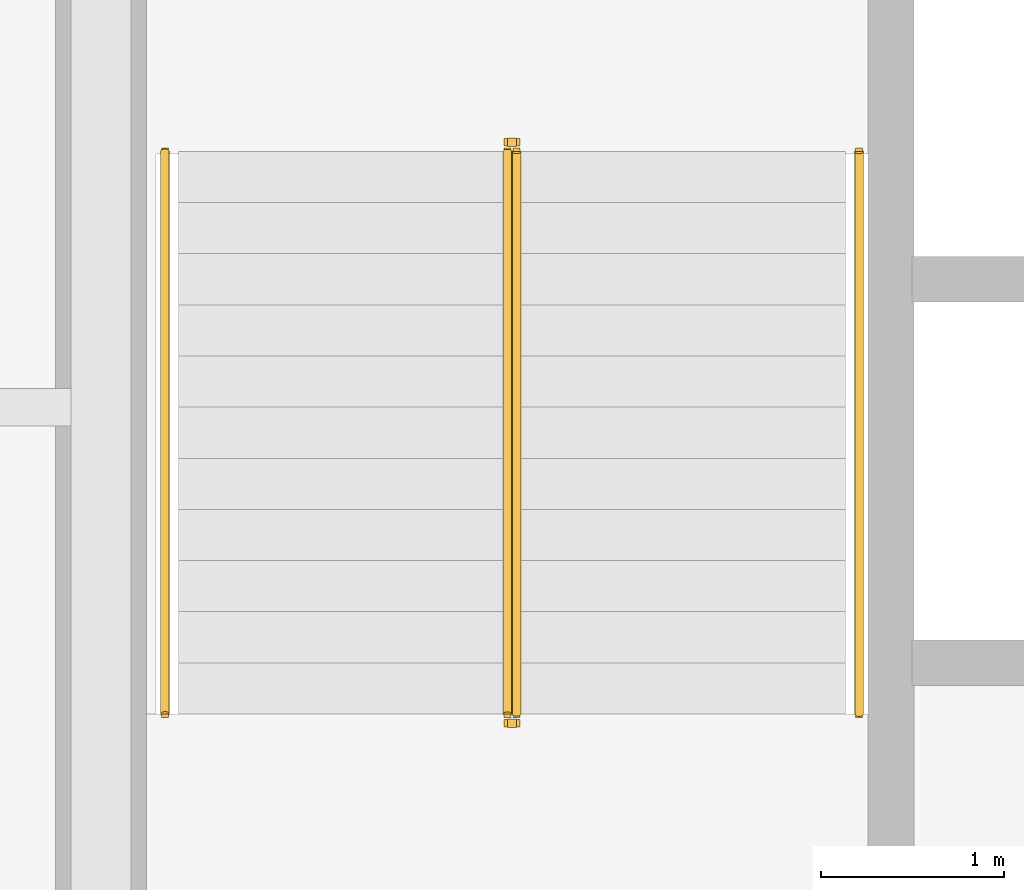
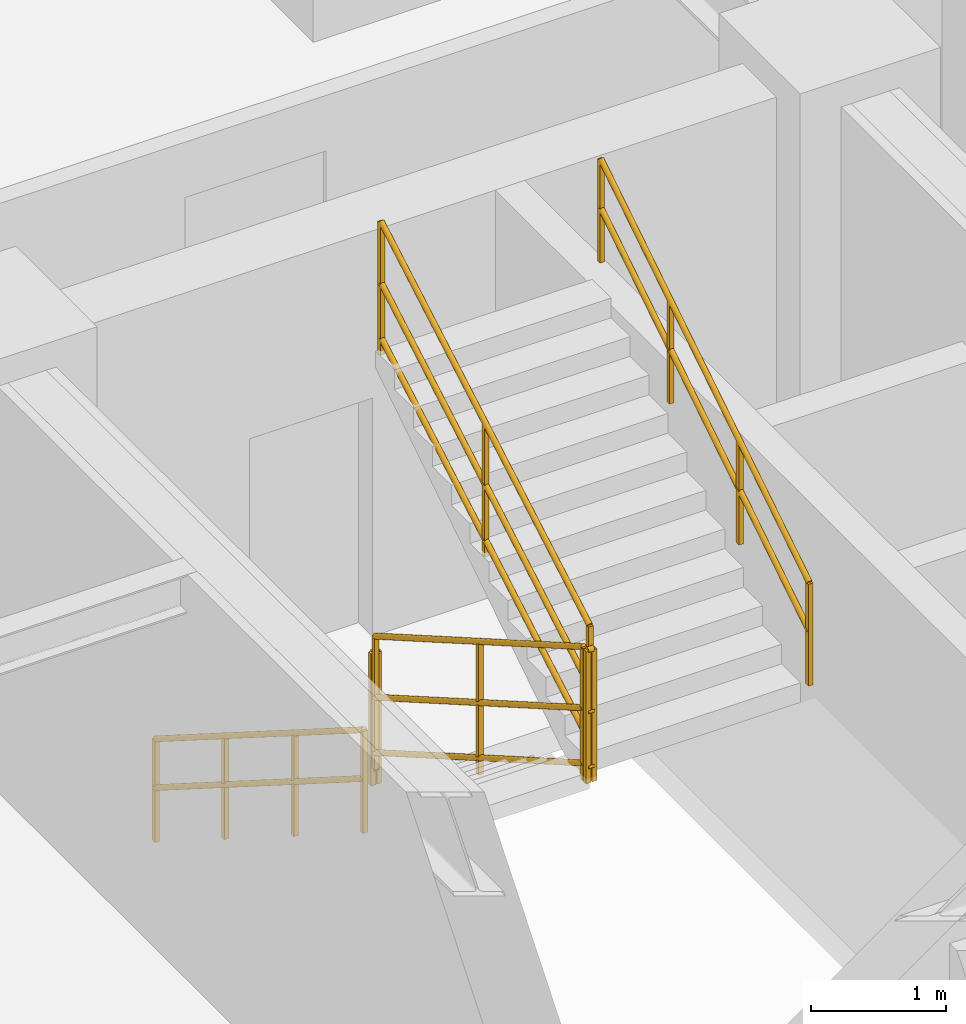
# One storey, part 9 of 9: 6 railings.
"""IFC4 building model written with IfcOpenShell, lengths in metres."""

from ifc_helpers import new_model, entity, si_unit, converted_unit, direction, frame, origin_with_axes, origin_2d_with_axis, place, context, subcontext, project, spatial, rectangle, circle, extrude, material, type_object, element, save


model = new_model("IFC4")

# Units and contexts
model_context = context("Model", 3, precision=1e-05, world=origin_with_axes(), true_north=direction((0.0, 1.0)))
body_context = subcontext(model_context, "Body", "Model", "MODEL_VIEW")
ifc_project = project(units=[si_unit("LENGTHUNIT", "METRE"), si_unit("AREAUNIT", "SQUARE_METRE"), si_unit("VOLUMEUNIT", "CUBIC_METRE"), converted_unit("PLANEANGLEUNIT", "DEGREE", entity("IfcPlaneAngleMeasure", 0.017453292519943295), si_unit("PLANEANGLEUNIT", "RADIAN"), dimensions=[0, 0, 0, 0, 0, 0, 0]), si_unit("MASSUNIT", "GRAM", prefix="KILO"), si_unit("THERMODYNAMICTEMPERATUREUNIT", "KELVIN")], contexts=[model_context])

# Site, building, storey
site_placement = place(None, origin_with_axes())
site = spatial("IfcSite", under=ifc_project, at=site_placement, CompositionType="ELEMENT")
building_placement = place(site_placement, origin_with_axes())
building = spatial("IfcBuilding", under=site, at=building_placement, Name="Varnlund Millrace Tower", CompositionType="ELEMENT")
storey_placement = place(building_placement, frame((0.0, 0.0, 93.0), z_axis=(0.0, 0.0, 1.0), x_axis=(1.0, 0.0, 0.0)))
storey = spatial("IfcBuildingStorey", under=building, at=storey_placement, Name="L22", CompositionType="ELEMENT", Elevation=93.0)

# Railings
ifc_material_1 = material(Name="Painted steel stair well balustrade guard", Category="steel")
railing_type_1 = type_object("IfcRailingType", Name="Type-StairGuard-1150", PredefinedType="GUARDRAIL", material=ifc_material_1)
railing_1_placement = place(storey_placement, frame((0.0, 0.0, -93.0), z_axis=(0.0, 0.0, 1.0), x_axis=(1.0, 0.0, 0.0)))
element("IfcRailing", 1, at=railing_1_placement, inside=storey, type_object=railing_type_1, Name="Type-StairGuard-1150", PredefinedType="GUARDRAIL", context=body_context, shape_type="SweptSolid", body=[
    extrude(circle(Radius=0.024, at=origin_2d_with_axis()), frame((13.625, 35.9, 94.327273), z_axis=(0.0, -0.866696, 0.498836), x_axis=(1.0, 0.0, 0.0)), (0.0, 0.0, 1.0), 3.553725),
    extrude(circle(Radius=0.024, at=origin_2d_with_axis()), frame((13.625, 35.9, 93.277273), z_axis=(0.0, -0.866696, 0.498836), x_axis=(1.0, 0.0, 0.0)), (0.0, 0.0, 1.0), 3.553725),
    extrude(circle(Radius=0.024, at=origin_2d_with_axis()), frame((13.625, 35.9, 93.775273), z_axis=(0.0, -0.866696, 0.498836), x_axis=(1.0, 0.0, 0.0)), (0.0, 0.0, 1.0), 3.553725),
    extrude(rectangle(XDim=0.04, YDim=0.04, at=origin_2d_with_axis()), frame((13.625, 35.9, 93.137273), z_axis=(0.0, 0.0, 1.0), x_axis=(1.0, 0.0, 0.0)), (0.0, 0.0, 1.0), 1.19),
    extrude(rectangle(XDim=0.04, YDim=0.04, at=origin_2d_with_axis()), frame((13.625, 34.36, 94.023636), z_axis=(0.0, 0.0, 1.0), x_axis=(1.0, 0.0, 0.0)), (0.0, 0.0, 1.0), 1.19),
    extrude(rectangle(XDim=0.04, YDim=0.04, at=origin_2d_with_axis()), frame((13.625, 32.82, 94.91), z_axis=(0.0, 0.0, 1.0), x_axis=(1.0, 0.0, 0.0)), (0.0, 0.0, 1.0), 1.19),
])
railing_2_placement = place(storey_placement, frame((0.0, 0.0, -93.0), z_axis=(0.0, 0.0, 1.0), x_axis=(1.0, 0.0, 0.0)))
element("IfcRailing", 2, at=railing_2_placement, inside=storey, type_object=railing_type_1, Name="Type-StairGuard-1150", PredefinedType="GUARDRAIL", context=body_context, shape_type="SweptSolid", body=[
    extrude(circle(Radius=0.024, at=origin_2d_with_axis()), frame((13.675, 32.77, 96.1), z_axis=(-1.0, 0.0, 0.0), x_axis=(0.0, -1.0, 0.0)), (0.0, 0.0, 1.0), 0.05),
    extrude(circle(Radius=0.024, at=origin_2d_with_axis()), frame((13.675, 32.77, 95.05), z_axis=(-1.0, 0.0, 0.0), x_axis=(0.0, -1.0, 0.0)), (0.0, 0.0, 1.0), 0.05),
    extrude(circle(Radius=0.024, at=origin_2d_with_axis()), frame((13.675, 32.77, 95.548), z_axis=(-1.0, 0.0, 0.0), x_axis=(0.0, -1.0, 0.0)), (0.0, 0.0, 1.0), 0.05),
    extrude(rectangle(XDim=0.04, YDim=0.04, at=origin_2d_with_axis()), frame((13.675, 32.77, 94.91), z_axis=(0.0, 0.0, 1.0), x_axis=(1.0, 0.0, 0.0)), (0.0, 0.0, 1.0), 1.19),
    extrude(rectangle(XDim=0.04, YDim=0.04, at=origin_2d_with_axis()), frame((13.625, 32.77, 94.91), z_axis=(0.0, 0.0, 1.0), x_axis=(1.0, 0.0, 0.0)), (0.0, 0.0, 1.0), 1.19),
])
railing_3_placement = place(storey_placement, frame((0.0, 0.0, -93.0), z_axis=(0.0, 0.0, 1.0), x_axis=(1.0, 0.0, 0.0)))
element("IfcRailing", 3, at=railing_3_placement, inside=storey, type_object=railing_type_1, Name="Type-StairGuard-1150", PredefinedType="GUARDRAIL", context=body_context, shape_type="SweptSolid", body=[
    extrude(circle(Radius=0.024, at=origin_2d_with_axis()), frame((13.675, 32.82, 96.277273), z_axis=(0.0, 0.866696, 0.498836), x_axis=(-1.0, 0.0, 0.0)), (0.0, 0.0, 1.0), 3.553725),
    extrude(circle(Radius=0.024, at=origin_2d_with_axis()), frame((13.675, 32.82, 95.227273), z_axis=(0.0, 0.866696, 0.498836), x_axis=(-1.0, 0.0, 0.0)), (0.0, 0.0, 1.0), 3.553725),
    extrude(circle(Radius=0.024, at=origin_2d_with_axis()), frame((13.675, 32.82, 95.725273), z_axis=(0.0, 0.866696, 0.498836), x_axis=(-1.0, 0.0, 0.0)), (0.0, 0.0, 1.0), 3.553725),
    extrude(rectangle(XDim=0.04, YDim=0.04, at=origin_2d_with_axis()), frame((13.675, 32.82, 95.087273), z_axis=(0.0, 0.0, 1.0), x_axis=(1.0, 0.0, 0.0)), (0.0, 0.0, 1.0), 1.19),
    extrude(rectangle(XDim=0.04, YDim=0.04, at=origin_2d_with_axis()), frame((13.675, 34.36, 95.973636), z_axis=(0.0, 0.0, 1.0), x_axis=(1.0, 0.0, 0.0)), (0.0, 0.0, 1.0), 1.19),
    extrude(rectangle(XDim=0.04, YDim=0.04, at=origin_2d_with_axis()), frame((13.675, 35.9, 96.86), z_axis=(0.0, 0.0, 1.0), x_axis=(1.0, 0.0, 0.0)), (0.0, 0.0, 1.0), 1.19),
])
railing_4_placement = place(storey_placement, frame((0.0, 0.0, -93.0), z_axis=(0.0, 0.0, 1.0), x_axis=(1.0, 0.0, 0.0)))
element("IfcRailing", 4, at=railing_4_placement, inside=storey, type_object=railing_type_1, Name="Type-StairGuard-1150", PredefinedType="GUARDRAIL", context=body_context, shape_type="SweptSolid", body=[
    extrude(circle(Radius=0.024, at=origin_2d_with_axis()), frame((13.675, 35.95, 94.15), z_axis=(-1.0, 0.0, 0.0), x_axis=(0.0, -1.0, 0.0)), (0.0, 0.0, 1.0), 0.05),
    extrude(circle(Radius=0.024, at=origin_2d_with_axis()), frame((13.675, 35.95, 93.1), z_axis=(-1.0, 0.0, 0.0), x_axis=(0.0, -1.0, 0.0)), (0.0, 0.0, 1.0), 0.05),
    extrude(circle(Radius=0.024, at=origin_2d_with_axis()), frame((13.675, 35.95, 93.598), z_axis=(-1.0, 0.0, 0.0), x_axis=(0.0, -1.0, 0.0)), (0.0, 0.0, 1.0), 0.05),
    extrude(rectangle(XDim=0.04, YDim=0.04, at=origin_2d_with_axis()), frame((13.675, 35.95, 92.96), z_axis=(0.0, 0.0, 1.0), x_axis=(1.0, 0.0, 0.0)), (0.0, 0.0, 1.0), 1.19),
    extrude(rectangle(XDim=0.04, YDim=0.04, at=origin_2d_with_axis()), frame((13.625, 35.95, 92.96), z_axis=(0.0, 0.0, 1.0), x_axis=(1.0, 0.0, 0.0)), (0.0, 0.0, 1.0), 1.19),
])
ifc_material_2 = material(Name="Brushed architectural bronze stair handrail", Category="aluminium")
railing_type_2 = type_object("IfcRailingType", Name="Type-StairHandrail-900", PredefinedType="HANDRAIL", material=ifc_material_2)
railing_5_placement = place(storey_placement, frame((0.0, 0.0, -93.0), z_axis=(0.0, 0.0, 1.0), x_axis=(1.0, 0.0, 0.0)))
element("IfcRailing", 5, at=railing_5_placement, inside=storey, type_object=railing_type_2, Name="Type-StairHandrail-900", PredefinedType="HANDRAIL", context=body_context, shape_type="SweptSolid", body=[
    extrude(circle(Radius=0.024, at=origin_2d_with_axis()), frame((11.75, 35.9, 94.056995), z_axis=(0.0, -0.844902, 0.534922), x_axis=(1.0, 0.0, 0.0)), (0.0, 0.0, 1.0), 3.645394),
    extrude(circle(Radius=0.024, at=origin_2d_with_axis()), frame((11.75, 35.9, 93.617134), z_axis=(0.0, -0.844902, 0.534922), x_axis=(1.0, 0.0, 0.0)), (0.0, 0.0, 1.0), 3.645394),
    extrude(rectangle(XDim=0.04, YDim=0.04, at=origin_2d_with_axis()), frame((11.75, 35.9, 93.137273), z_axis=(0.0, 0.0, 1.0), x_axis=(1.0, 0.0, 0.0)), (0.0, 0.0, 1.0), 0.919722),
    extrude(rectangle(XDim=0.04, YDim=0.04, at=origin_2d_with_axis()), frame((11.75, 34.873333, 93.787273), z_axis=(0.0, 0.0, 1.0), x_axis=(1.0, 0.0, 0.0)), (0.0, 0.0, 1.0), 0.919722),
    extrude(rectangle(XDim=0.04, YDim=0.04, at=origin_2d_with_axis()), frame((11.75, 33.846667, 94.437273), z_axis=(0.0, 0.0, 1.0), x_axis=(1.0, 0.0, 0.0)), (0.0, 0.0, 1.0), 0.919722),
    extrude(rectangle(XDim=0.04, YDim=0.04, at=origin_2d_with_axis()), frame((11.75, 32.82, 95.087273), z_axis=(0.0, 0.0, 1.0), x_axis=(1.0, 0.0, 0.0)), (0.0, 0.0, 1.0), 0.919722),
])
railing_6_placement = place(storey_placement, frame((0.0, 0.0, -93.0), z_axis=(0.0, 0.0, 1.0), x_axis=(1.0, 0.0, 0.0)))
element("IfcRailing", 6, at=railing_6_placement, inside=storey, type_object=railing_type_2, Name="Type-StairHandrail-900", PredefinedType="HANDRAIL", context=body_context, shape_type="SweptSolid", body=[
    extrude(circle(Radius=0.024, at=origin_2d_with_axis()), frame((15.55, 32.82, 96.006995), z_axis=(0.0, 0.844902, 0.534922), x_axis=(-1.0, 0.0, 0.0)), (0.0, 0.0, 1.0), 3.645394),
    extrude(circle(Radius=0.024, at=origin_2d_with_axis()), frame((15.55, 32.82, 95.567134), z_axis=(0.0, 0.844902, 0.534922), x_axis=(-1.0, 0.0, 0.0)), (0.0, 0.0, 1.0), 3.645394),
    extrude(rectangle(XDim=0.04, YDim=0.04, at=origin_2d_with_axis()), frame((15.55, 32.82, 95.087273), z_axis=(0.0, 0.0, 1.0), x_axis=(1.0, 0.0, 0.0)), (0.0, 0.0, 1.0), 0.919722),
    extrude(rectangle(XDim=0.04, YDim=0.04, at=origin_2d_with_axis()), frame((15.55, 33.846667, 95.737273), z_axis=(0.0, 0.0, 1.0), x_axis=(1.0, 0.0, 0.0)), (0.0, 0.0, 1.0), 0.919722),
    extrude(rectangle(XDim=0.04, YDim=0.04, at=origin_2d_with_axis()), frame((15.55, 34.873333, 96.387273), z_axis=(0.0, 0.0, 1.0), x_axis=(1.0, 0.0, 0.0)), (0.0, 0.0, 1.0), 0.919722),
    extrude(rectangle(XDim=0.04, YDim=0.04, at=origin_2d_with_axis()), frame((15.55, 35.9, 97.037273), z_axis=(0.0, 0.0, 1.0), x_axis=(1.0, 0.0, 0.0)), (0.0, 0.0, 1.0), 0.919722),
])

save(model, "model.ifc")
